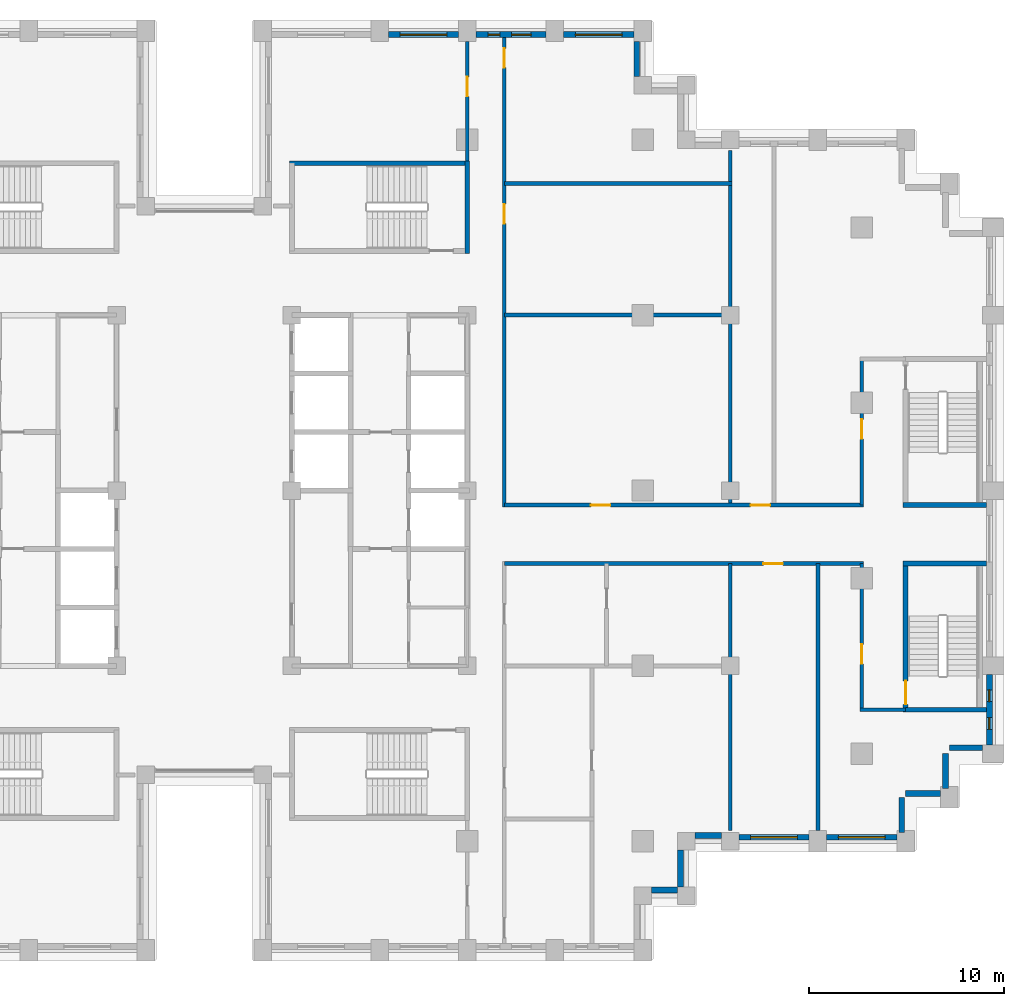
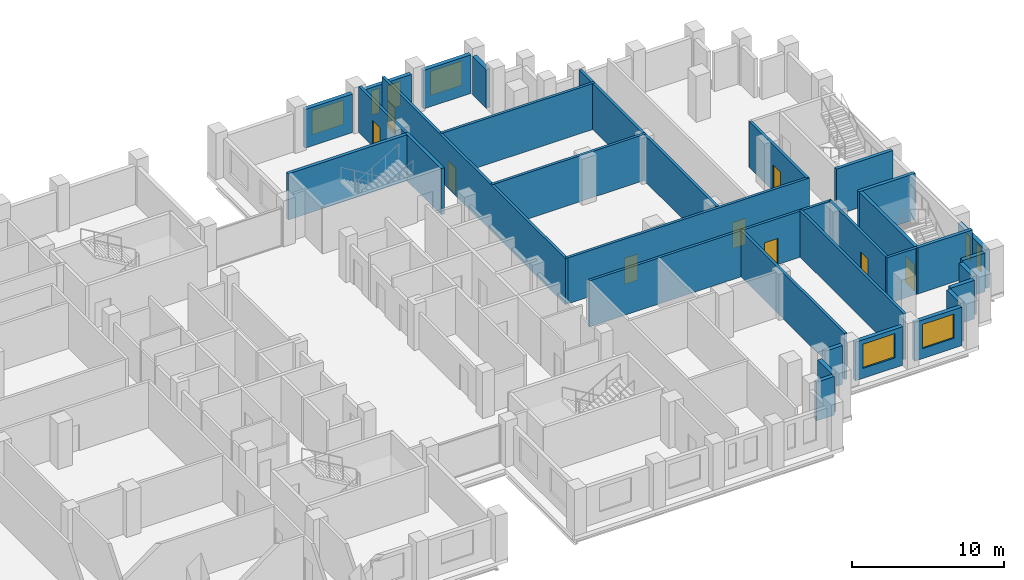
# One storey, part 11 of 15: 32 walls, 9 doors, 8 windows, 17 openings.
"""IFC4 building model written with IfcOpenShell, lengths in metres."""

from ifc_helpers import new_model, si_unit, direction, frame, frame_2d, origin, place, context, subcontext, project, spatial, rectangle, extrude, material, layer, layer_set, type_object, element, fill, save


model = new_model("IFC4")

# Units and contexts
model_context = context("Model", 3, precision=1e-05, world=origin(), true_north=direction((0.0, 1.0)))
body_context = subcontext(model_context, "Body", "Model", "MODEL_VIEW")
ifc_project = project(units=[si_unit("LENGTHUNIT", "METRE"), si_unit("AREAUNIT", "SQUARE_METRE"), si_unit("VOLUMEUNIT", "CUBIC_METRE"), si_unit("PLANEANGLEUNIT", "RADIAN"), si_unit("MASSUNIT", "GRAM", prefix="KILO")], contexts=[model_context])

# Site, building, storey
site_placement = place(None, origin())
site = spatial("IfcSite", under=ifc_project, at=site_placement, CompositionType="ELEMENT")
building_placement = place(site_placement, origin())
building = spatial("IfcBuilding", under=site, at=building_placement, Name="Corbelhall Arena Tower", CompositionType="ELEMENT")
storey_placement = place(building_placement, frame((0.0, 0.0, 138.0)))
storey = spatial("IfcBuildingStorey", under=building, at=storey_placement, Name="L26", CompositionType="ELEMENT", Elevation=138.0)

# Walls
ifc_material_1 = material(Name="Precast concrete C40/50 with granite facing", Category="masonry")
ifc_layer_1 = layer(ifc_material_1, 0.300048828125)
ifc_layer_set_1 = layer_set([ifc_layer_1], Name="EV-IW1 Infill panel 300")
wall_type_1 = type_object("IfcWallType", Name="EV-IW1 Infill panel 300", PredefinedType="SOLIDWALL", material=ifc_layer_set_1)
for number, where, z_axis, x_axis, name in (
    (1, (35.800048828125, -17.550048828125, 0.0), (0.0, 0.0, 1.0), (0.0, 1.0, 0.0), "Infill panel IW1"),
    (2, (37.800048828125, -15.550048828125, 0.0), (0.0, 0.0, 1.0), (-1.0, 0.0, 0.0), "Infill panel IW1"),
    (3, (38.050048828125, -15.300048828125, 0.0), (0.0, 0.0, 1.0), (0.0, 1.0, 0.0), "Infill panel IW1"),
):
    element("IfcWall", number, at=place(storey_placement, frame(where, z_axis=z_axis, x_axis=x_axis)), inside=storey, type_object=wall_type_1, Name=name, PredefinedType="SOLIDWALL", context=body_context, shape_type="SweptSolid", body=[
        extrude(rectangle(XDim=1.800048828125, YDim=0.300048828125, at=frame_2d((0.89990234375, 0.0))), origin(), (0.0, 0.0, 1.0), 3.10009765625),
    ])
wall_1_placement = place(storey_placement, frame((39.949951171875, -13.199951171875, 0.0), z_axis=(0.0, 0.0, 1.0), x_axis=(-1.0, 0.0, 0.0)))
element("IfcWall", 4, at=wall_1_placement, inside=storey, type_object=wall_type_1, Name="Infill panel IW1", PredefinedType="SOLIDWALL", context=body_context, shape_type="SweptSolid", body=[
    extrude(rectangle(XDim=1.699951171875, YDim=0.300048828125, at=frame_2d((0.85009765625, 0.0))), origin(), (0.0, 0.0, 1.0), 3.10009765625),
])
wall_2_placement = place(storey_placement, frame((22.949951171875, -20.5, 0.0), z_axis=(0.0, 0.0, 1.0), x_axis=(1.0, 0.0, 0.0)))
element("IfcWall", 5, at=wall_2_placement, inside=storey, type_object=wall_type_1, Name="Infill panel IW1", PredefinedType="SOLIDWALL", context=body_context, shape_type="SweptSolid", body=[
    extrude(rectangle(XDim=1.35009765625, YDim=0.300048828125, at=frame_2d((0.675048828125, 0.0))), origin(), (0.0, 0.0, 1.0), 3.10009765625),
])
wall_3_placement = place(storey_placement, frame((24.449951171875, -20.35009765625, 0.0), z_axis=(0.0, 0.0, 1.0), x_axis=(0.0, 1.0, 0.0)))
element("IfcWall", 6, at=wall_3_placement, inside=storey, type_object=wall_type_1, Name="Infill panel IW1", PredefinedType="SOLIDWALL", context=body_context, shape_type="SweptSolid", body=[
    extrude(rectangle(XDim=1.900146484375, YDim=0.300048828125, at=frame_2d((0.9501953125, 0.0))), origin(), (0.0, 0.0, 1.0), 3.10009765625),
])
wall_4_placement = place(storey_placement, frame((25.199951171875, -17.699951171875, 0.0), z_axis=(0.0, 0.0, 1.0), x_axis=(1.0, 0.0, 0.0)))
element("IfcWall", 7, at=wall_4_placement, inside=storey, type_object=wall_type_1, Name="Infill panel IW1", PredefinedType="SOLIDWALL", context=body_context, shape_type="SweptSolid", body=[
    extrude(rectangle(XDim=1.35009765625, YDim=0.300048828125, at=frame_2d((0.675048828125, 0.0))), origin(), (0.0, 0.0, 1.0), 3.10009765625),
])

# Wall, opening, window
wall_5_placement = place(storey_placement, frame((27.449951171875, -17.800048828125, 0.0), z_axis=(0.0, 0.0, 1.0), x_axis=(1.0, 0.0, 0.0)))
wall_5 = element("IfcWall", 8, at=wall_5_placement, inside=storey, type_object=wall_type_1, Name="Infill panel IW1", PredefinedType="SOLIDWALL", context=body_context, shape_type="SweptSolid", body=[
    extrude(rectangle(XDim=3.60009765625, YDim=0.300048828125, at=frame_2d((1.800048828125, 0.0))), origin(), (0.0, 0.0, 1.0), 3.10009765625),
])
opening_1_placement = place(wall_5_placement, frame((0.60009765625, 0.0, 0.800048828125)))
opening_1 = element("IfcOpeningElement", 9, at=opening_1_placement, cuts=wall_5, Name="Opening WN1", PredefinedType="OPENING", context=body_context, shape_type="SweptSolid", body=[
    extrude(rectangle(XDim=2.39990234375, YDim=1.949951171875, at=frame_2d((1.199951171875, 0.97509765625))), frame((0.0, 0.14990234375, 0.0), z_axis=(0.0, -1.0, 0.0), x_axis=(1.0, 0.0, 0.0)), (0.0, 0.0, 1.0), 0.300048828125),
])
ifc_material_2 = material(Name="Aluminium black anodised", Category="aluminium")
window_type_1 = type_object("IfcWindowType", Name="EV-WN1 Office window", PartitioningType="SINGLE_PANEL", PredefinedType="WINDOW", material=ifc_material_2)
window_1_placement = place(opening_1_placement, origin())
window_1 = element("IfcWindow", 10, at=window_1_placement, inside=storey, type_object=window_type_1, Name="Window WN1", OverallHeight=1.949951171875, OverallWidth=2.39990234375, PartitioningType="SINGLE_PANEL", PredefinedType="WINDOW", context=body_context, shape_type="SweptSolid", body=[
    extrude(rectangle(XDim=2.39990234375, YDim=1.949951171875, at=frame_2d((1.199951171875, 0.97509765625))), frame((0.0, 0.030029296875, 0.0), z_axis=(0.0, -1.0, 0.0), x_axis=(1.0, 0.0, 0.0)), (0.0, 0.0, 1.0), 0.06005859375),
])
fill(opening_1, window_1)

wall_6_placement = place(storey_placement, frame((31.949951171875, -17.800048828125, 0.0), z_axis=(0.0, 0.0, 1.0), x_axis=(1.0, 0.0, 0.0)))
wall_6 = element("IfcWall", 11, at=wall_6_placement, inside=storey, type_object=wall_type_1, Name="Infill panel IW1", PredefinedType="SOLIDWALL", context=body_context, shape_type="SweptSolid", body=[
    extrude(rectangle(XDim=3.60009765625, YDim=0.300048828125, at=frame_2d((1.800048828125, 0.0))), origin(), (0.0, 0.0, 1.0), 3.10009765625),
])
opening_2_placement = place(wall_6_placement, frame((0.60009765625, 0.0, 0.800048828125)))
opening_2 = element("IfcOpeningElement", 12, at=opening_2_placement, cuts=wall_6, Name="Opening WN1", PredefinedType="OPENING", context=body_context, shape_type="SweptSolid", body=[
    extrude(rectangle(XDim=2.39990234375, YDim=1.949951171875, at=frame_2d((1.199951171875, 0.97509765625))), frame((0.0, 0.14990234375, 0.0), z_axis=(0.0, -1.0, 0.0), x_axis=(1.0, 0.0, 0.0)), (0.0, 0.0, 1.0), 0.300048828125),
])
window_2_placement = place(opening_2_placement, origin())
window_2 = element("IfcWindow", 13, at=window_2_placement, inside=storey, type_object=window_type_1, Name="Window WN1", OverallHeight=1.949951171875, OverallWidth=2.39990234375, PartitioningType="SINGLE_PANEL", PredefinedType="WINDOW", context=body_context, shape_type="SweptSolid", body=[
    extrude(rectangle(XDim=2.39990234375, YDim=1.949951171875, at=frame_2d((1.199951171875, 0.97509765625))), frame((0.0, 0.030029296875, 0.0), z_axis=(0.0, -1.0, 0.0), x_axis=(1.0, 0.0, 0.0)), (0.0, 0.0, 1.0), 0.06005859375),
])
fill(opening_2, window_2)

# Wall, openings, windows
wall_7_placement = place(storey_placement, frame((40.300048828125, -13.050048828125, 0.0), z_axis=(0.0, 0.0, 1.0), x_axis=(0.0, 1.0, 0.0)))
wall_7 = element("IfcWall", 14, at=wall_7_placement, inside=storey, type_object=wall_type_1, Name="Infill panel IW1", PredefinedType="SOLIDWALL", context=body_context, shape_type="SweptSolid", body=[
    extrude(rectangle(XDim=3.60009765625, YDim=0.300048828125, at=frame_2d((1.800048828125, 0.0))), origin(), (0.0, 0.0, 1.0), 3.10009765625),
])
opening_3_placement = place(wall_7_placement, frame((0.78759765625, 0.0, 0.800048828125)))
opening_3 = element("IfcOpeningElement", 15, at=opening_3_placement, cuts=wall_7, Name="Opening WN5", PredefinedType="OPENING", context=body_context, shape_type="SweptSolid", body=[
    extrude(rectangle(XDim=0.60009765625, YDim=1.949951171875, at=frame_2d((0.300048828125, 0.97509765625))), frame((0.0, 0.14990234375, 0.0), z_axis=(0.0, -1.0, 0.0), x_axis=(1.0, 0.0, 0.0)), (0.0, 0.0, 1.0), 0.300048828125),
])
opening_4_placement = place(wall_7_placement, frame((2.21240234375, 0.0, 0.800048828125)))
opening_4 = element("IfcOpeningElement", 16, at=opening_4_placement, cuts=wall_7, Name="Opening WN5", PredefinedType="OPENING", context=body_context, shape_type="SweptSolid", body=[
    extrude(rectangle(XDim=0.60009765625, YDim=1.949951171875, at=frame_2d((0.300048828125, 0.97509765625))), frame((0.0, 0.14990234375, 0.0), z_axis=(0.0, -1.0, 0.0), x_axis=(1.0, 0.0, 0.0)), (0.0, 0.0, 1.0), 0.300048828125),
])
window_type_2 = type_object("IfcWindowType", Name="EV-WN5 Office window 600", PartitioningType="SINGLE_PANEL", PredefinedType="WINDOW", material=ifc_material_2)
window_3_placement = place(opening_3_placement, origin())
window_3 = element("IfcWindow", 17, at=window_3_placement, inside=storey, type_object=window_type_2, Name="Window WN5", OverallHeight=1.949951171875, OverallWidth=0.60009765625, PartitioningType="SINGLE_PANEL", PredefinedType="WINDOW", context=body_context, shape_type="SweptSolid", body=[
    extrude(rectangle(XDim=0.60009765625, YDim=1.949951171875, at=frame_2d((0.300048828125, 0.97509765625))), frame((0.0, 0.030029296875, 0.0), z_axis=(0.0, -1.0, 0.0), x_axis=(1.0, 0.0, 0.0)), (0.0, 0.0, 1.0), 0.06005859375),
])
fill(opening_3, window_3)
window_4_placement = place(opening_4_placement, origin())
window_4 = element("IfcWindow", 18, at=window_4_placement, inside=storey, type_object=window_type_2, Name="Window WN5", OverallHeight=1.949951171875, OverallWidth=0.60009765625, PartitioningType="SINGLE_PANEL", PredefinedType="WINDOW", context=body_context, shape_type="SweptSolid", body=[
    extrude(rectangle(XDim=0.60009765625, YDim=1.949951171875, at=frame_2d((0.300048828125, 0.97509765625))), frame((0.0, 0.030029296875, 0.0), z_axis=(0.0, -1.0, 0.0), x_axis=(1.0, 0.0, 0.0)), (0.0, 0.0, 1.0), 0.06005859375),
])
fill(opening_4, window_4)

# Wall
wall_8_placement = place(storey_placement, frame((22.199951171875, 21.25, 0.0), z_axis=(0.0, 0.0, 1.0), x_axis=(0.0, 1.0, 0.0)))
element("IfcWall", 19, at=wall_8_placement, inside=storey, type_object=wall_type_1, Name="Infill panel IW1", PredefinedType="SOLIDWALL", context=body_context, shape_type="SweptSolid", body=[
    extrude(rectangle(XDim=1.800048828125, YDim=0.300048828125, at=frame_2d((0.89990234375, 0.0))), origin(), (0.0, 0.0, 1.0), 3.10009765625),
])

# Wall, opening, window
wall_9_placement = place(storey_placement, frame((22.050048828125, 23.39990234375, 0.0), z_axis=(0.0, 0.0, 1.0), x_axis=(-1.0, 0.0, 0.0)))
wall_9 = element("IfcWall", 20, at=wall_9_placement, inside=storey, type_object=wall_type_1, Name="Infill panel IW1", PredefinedType="SOLIDWALL", context=body_context, shape_type="SweptSolid", body=[
    extrude(rectangle(XDim=3.60009765625, YDim=0.300048828125, at=frame_2d((1.800048828125, 0.0))), origin(), (0.0, 0.0, 1.0), 3.10009765625),
])
opening_5_placement = place(wall_9_placement, frame((0.60009765625, 0.0, 0.800048828125)))
opening_5 = element("IfcOpeningElement", 21, at=opening_5_placement, cuts=wall_9, Name="Opening WN1", PredefinedType="OPENING", context=body_context, shape_type="SweptSolid", body=[
    extrude(rectangle(XDim=2.39990234375, YDim=1.949951171875, at=frame_2d((1.199951171875, 0.97509765625))), frame((0.0, 0.14990234375, 0.0), z_axis=(0.0, -1.0, 0.0), x_axis=(1.0, 0.0, 0.0)), (0.0, 0.0, 1.0), 0.300048828125),
])
window_5_placement = place(opening_5_placement, origin())
window_5 = element("IfcWindow", 22, at=window_5_placement, inside=storey, type_object=window_type_1, Name="Window WN1", OverallHeight=1.949951171875, OverallWidth=2.39990234375, PartitioningType="SINGLE_PANEL", PredefinedType="WINDOW", context=body_context, shape_type="SweptSolid", body=[
    extrude(rectangle(XDim=2.39990234375, YDim=1.949951171875, at=frame_2d((1.199951171875, 0.97509765625))), frame((0.0, 0.030029296875, 0.0), z_axis=(0.0, -1.0, 0.0), x_axis=(1.0, 0.0, 0.0)), (0.0, 0.0, 1.0), 0.06005859375),
])
fill(opening_5, window_5)

# Wall, openings, windows
wall_10_placement = place(storey_placement, frame((17.550048828125, 23.39990234375, 0.0), z_axis=(0.0, 0.0, 1.0), x_axis=(-1.0, 0.0, 0.0)))
wall_10 = element("IfcWall", 23, at=wall_10_placement, inside=storey, type_object=wall_type_1, Name="Infill panel IW1", PredefinedType="SOLIDWALL", context=body_context, shape_type="SweptSolid", body=[
    extrude(rectangle(XDim=3.60009765625, YDim=0.300048828125, at=frame_2d((1.800048828125, 0.0))), origin(), (0.0, 0.0, 1.0), 3.10009765625),
])
opening_6_placement = place(wall_10_placement, frame((0.77490234375, 0.0, 0.800048828125)))
opening_6 = element("IfcOpeningElement", 24, at=opening_6_placement, cuts=wall_10, Name="Opening WN6", PredefinedType="OPENING", context=body_context, shape_type="SweptSolid", body=[
    extrude(rectangle(XDim=1.0, YDim=1.949951171875, at=frame_2d((0.5, 0.97509765625))), frame((0.0, 0.14990234375, 0.0), z_axis=(0.0, -1.0, 0.0), x_axis=(1.0, 0.0, 0.0)), (0.0, 0.0, 1.0), 0.300048828125),
])
opening_7_placement = place(wall_10_placement, frame((2.375, 0.0, 0.800048828125)))
opening_7 = element("IfcOpeningElement", 25, at=opening_7_placement, cuts=wall_10, Name="Opening WN5", PredefinedType="OPENING", context=body_context, shape_type="SweptSolid", body=[
    extrude(rectangle(XDim=0.60009765625, YDim=1.949951171875, at=frame_2d((0.300048828125, 0.97509765625))), frame((0.0, 0.14990234375, 0.0), z_axis=(0.0, -1.0, 0.0), x_axis=(1.0, 0.0, 0.0)), (0.0, 0.0, 1.0), 0.300048828125),
])
window_6_placement = place(opening_7_placement, origin())
window_6 = element("IfcWindow", 26, at=window_6_placement, inside=storey, type_object=window_type_2, Name="Window WN5", OverallHeight=1.949951171875, OverallWidth=0.60009765625, PartitioningType="SINGLE_PANEL", PredefinedType="WINDOW", context=body_context, shape_type="SweptSolid", body=[
    extrude(rectangle(XDim=0.60009765625, YDim=1.949951171875, at=frame_2d((0.300048828125, 0.97509765625))), frame((0.0, 0.030029296875, 0.0), z_axis=(0.0, -1.0, 0.0), x_axis=(1.0, 0.0, 0.0)), (0.0, 0.0, 1.0), 0.06005859375),
])
fill(opening_7, window_6)
window_type_3 = type_object("IfcWindowType", Name="EV-WN6 Office window 1000", PartitioningType="SINGLE_PANEL", PredefinedType="WINDOW", material=ifc_material_2)
window_7_placement = place(opening_6_placement, origin())
window_7 = element("IfcWindow", 27, at=window_7_placement, inside=storey, type_object=window_type_3, Name="Window WN6", OverallHeight=1.949951171875, OverallWidth=1.0, PartitioningType="SINGLE_PANEL", PredefinedType="WINDOW", context=body_context, shape_type="SweptSolid", body=[
    extrude(rectangle(XDim=1.0, YDim=1.949951171875, at=frame_2d((0.5, 0.97509765625))), frame((0.0, 0.030029296875, 0.0), z_axis=(0.0, -1.0, 0.0), x_axis=(1.0, 0.0, 0.0)), (0.0, 0.0, 1.0), 0.06005859375),
])
fill(opening_6, window_7)

# Wall, opening, window
wall_11_placement = place(storey_placement, frame((13.050048828125, 23.39990234375, 0.0), z_axis=(0.0, 0.0, 1.0), x_axis=(-1.0, 0.0, 0.0)))
wall_11 = element("IfcWall", 28, at=wall_11_placement, inside=storey, type_object=wall_type_1, Name="Infill panel IW1", PredefinedType="SOLIDWALL", context=body_context, shape_type="SweptSolid", body=[
    extrude(rectangle(XDim=3.60009765625, YDim=0.300048828125, at=frame_2d((1.800048828125, 0.0))), origin(), (0.0, 0.0, 1.0), 3.10009765625),
])
opening_8_placement = place(wall_11_placement, frame((0.60009765625, 0.0, 0.800048828125)))
opening_8 = element("IfcOpeningElement", 29, at=opening_8_placement, cuts=wall_11, Name="Opening WN1", PredefinedType="OPENING", context=body_context, shape_type="SweptSolid", body=[
    extrude(rectangle(XDim=2.39990234375, YDim=1.949951171875, at=frame_2d((1.199951171875, 0.97509765625))), frame((0.0, 0.14990234375, 0.0), z_axis=(0.0, -1.0, 0.0), x_axis=(1.0, 0.0, 0.0)), (0.0, 0.0, 1.0), 0.300048828125),
])
window_8_placement = place(opening_8_placement, origin())
window_8 = element("IfcWindow", 30, at=window_8_placement, inside=storey, type_object=window_type_1, Name="Window WN1", OverallHeight=1.949951171875, OverallWidth=2.39990234375, PartitioningType="SINGLE_PANEL", PredefinedType="WINDOW", context=body_context, shape_type="SweptSolid", body=[
    extrude(rectangle(XDim=2.39990234375, YDim=1.949951171875, at=frame_2d((1.199951171875, 0.97509765625))), frame((0.0, 0.030029296875, 0.0), z_axis=(0.0, -1.0, 0.0), x_axis=(1.0, 0.0, 0.0)), (0.0, 0.0, 1.0), 0.06005859375),
])
fill(opening_8, window_8)

# Wall, opening, door
ifc_material_3 = material(Name="Gypsum board on steel stud, acoustic", Category="steel")
ifc_layer_2 = layer(ifc_material_3, 0.199951171875)
ifc_layer_set_2 = layer_set([ifc_layer_2], Name="IN-W-DM200")
wall_type_2 = type_object("IfcWallType", Name="IN-W-DM200", PredefinedType="PARTITIONING", material=ifc_layer_set_2)
wall_12_placement = place(storey_placement, frame((13.5, 16.675048828125, 0.0), z_axis=(0.0, 0.0, 1.0), x_axis=(0.0, 1.0, 0.0)))
wall_12 = element("IfcWall", 31, at=wall_12_placement, inside=storey, type_object=wall_type_2, Name="Partition 027", PredefinedType="PARTITIONING", context=body_context, shape_type="SweptSolid", body=[
    extrude(rectangle(XDim=6.375, YDim=0.199951171875, at=frame_2d((3.1875, 0.0))), origin(), (0.0, 0.0, 1.0), 3.699951171875),
])
opening_9_placement = place(wall_12_placement, frame((3.550048828125, 0.0, 0.0)))
opening_9 = element("IfcOpeningElement", 32, at=opening_9_placement, cuts=wall_12, Name="Opening 07023", PredefinedType="OPENING", context=body_context, shape_type="SweptSolid", body=[
    extrude(rectangle(XDim=1.0, YDim=2.10009765625, at=frame_2d((0.5, 1.050048828125))), frame((0.0, 0.10009765625, 0.0), z_axis=(0.0, -1.0, 0.0), x_axis=(1.0, 0.0, 0.0)), (0.0, 0.0, 1.0), 0.199951171875),
])
ifc_material_4 = material(Name="Steel door set", Category="steel")
door_type_1 = type_object("IfcDoorType", Name="IN-D-SW100", OperationType="NOTDEFINED", PredefinedType="DOOR", material=ifc_material_4)
door_1_placement = place(opening_9_placement, origin())
door_1 = element("IfcDoor", 33, at=door_1_placement, inside=storey, type_object=door_type_1, Name="Door 023", OperationType="SINGLE_SWING_RIGHT", OverallHeight=2.10009765625, OverallWidth=1.0, PredefinedType="DOOR", context=body_context, shape_type="SweptSolid", body=[
    extrude(rectangle(XDim=1.0, YDim=2.10009765625, at=frame_2d((0.5, 1.050048828125))), frame((0.0, 0.02490234375, 0.0), z_axis=(0.0, -1.0, 0.0), x_axis=(1.0, 0.0, 0.0)), (0.0, 0.0, 1.0), 0.050048828125),
])
fill(opening_9, door_1)

# Wall, openings, doors
wall_13_placement = place(storey_placement, frame((15.39990234375, -0.75, 0.0), z_axis=(0.0, 0.0, 1.0), x_axis=(1.0, 0.0, 0.0)))
wall_13 = element("IfcWall", 34, at=wall_13_placement, inside=storey, type_object=wall_type_2, Name="Partition 031", PredefinedType="PARTITIONING", context=body_context, shape_type="SweptSolid", body=[
    extrude(rectangle(XDim=18.4501953125, YDim=0.199951171875, at=frame_2d((9.22509765625, 0.0))), origin(), (0.0, 0.0, 1.0), 3.699951171875),
])
opening_10_placement = place(wall_13_placement, frame((4.449951171875, 0.0, 0.0)))
opening_10 = element("IfcOpeningElement", 35, at=opening_10_placement, cuts=wall_13, Name="Opening 07032", PredefinedType="OPENING", context=body_context, shape_type="SweptSolid", body=[
    extrude(rectangle(XDim=1.0, YDim=2.10009765625, at=frame_2d((0.5, 1.050048828125))), frame((0.0, 0.10009765625, 0.0), z_axis=(0.0, -1.0, 0.0), x_axis=(1.0, 0.0, 0.0)), (0.0, 0.0, 1.0), 0.199951171875),
])
opening_11_placement = place(wall_13_placement, frame((12.64990234375, 0.0, 0.0)))
opening_11 = element("IfcOpeningElement", 36, at=opening_11_placement, cuts=wall_13, Name="Opening 07043", PredefinedType="OPENING", context=body_context, shape_type="SweptSolid", body=[
    extrude(rectangle(XDim=1.0, YDim=2.10009765625, at=frame_2d((0.5, 1.050048828125))), frame((0.0, 0.10009765625, 0.0), z_axis=(0.0, -1.0, 0.0), x_axis=(1.0, 0.0, 0.0)), (0.0, 0.0, 1.0), 0.199951171875),
])
door_2_placement = place(opening_10_placement, origin())
door_2 = element("IfcDoor", 37, at=door_2_placement, inside=storey, type_object=door_type_1, Name="Door 032", OperationType="SINGLE_SWING_LEFT", OverallHeight=2.10009765625, OverallWidth=1.0, PredefinedType="DOOR", context=body_context, shape_type="SweptSolid", body=[
    extrude(rectangle(XDim=1.0, YDim=2.10009765625, at=frame_2d((0.5, 1.050048828125))), frame((0.0, 0.02490234375, 0.0), z_axis=(0.0, -1.0, 0.0), x_axis=(1.0, 0.0, 0.0)), (0.0, 0.0, 1.0), 0.050048828125),
])
fill(opening_10, door_2)
door_3_placement = place(opening_11_placement, origin())
door_3 = element("IfcDoor", 38, at=door_3_placement, inside=storey, type_object=door_type_1, Name="Door 043", OperationType="SINGLE_SWING_RIGHT", OverallHeight=2.10009765625, OverallWidth=1.0, PredefinedType="DOOR", context=body_context, shape_type="SweptSolid", body=[
    extrude(rectangle(XDim=1.0, YDim=2.10009765625, at=frame_2d((0.5, 1.050048828125))), frame((0.0, 0.02490234375, 0.0), z_axis=(0.0, -1.0, 0.0), x_axis=(1.0, 0.0, 0.0)), (0.0, 0.0, 1.0), 0.050048828125),
])
fill(opening_11, door_3)

# Wall
wall_14_placement = place(storey_placement, frame((15.39990234375, 9.0, 0.0), z_axis=(0.0, 0.0, 1.0), x_axis=(1.0, 0.0, 0.0)))
element("IfcWall", 39, at=wall_14_placement, inside=storey, type_object=wall_type_2, Name="Partition 032", PredefinedType="PARTITIONING", context=body_context, shape_type="SweptSolid", body=[
    extrude(rectangle(XDim=11.7001953125, YDim=0.199951171875, at=frame_2d((5.85009765625, 0.0))), origin(), (0.0, 0.0, 1.0), 3.699951171875),
])

# Wall, openings, doors
wall_15_placement = place(storey_placement, frame((15.39990234375, 23.25, 0.0), z_axis=(0.0, 0.0, 1.0), x_axis=(0.0, -1.0, 0.0)))
wall_15 = element("IfcWall", 40, at=wall_15_placement, inside=storey, type_object=wall_type_2, Name="Partition 033", PredefinedType="PARTITIONING", context=body_context, shape_type="SweptSolid", body=[
    extrude(rectangle(XDim=24.10009765625, YDim=0.199951171875, at=frame_2d((12.050048828125, 0.0))), origin(), (0.0, 0.0, 1.0), 3.699951171875),
])
opening_12_placement = place(wall_15_placement, frame((8.550048828125, 0.0, 0.0)))
opening_12 = element("IfcOpeningElement", 41, at=opening_12_placement, cuts=wall_15, Name="Opening 07033", PredefinedType="OPENING", context=body_context, shape_type="SweptSolid", body=[
    extrude(rectangle(XDim=1.0, YDim=2.10009765625, at=frame_2d((0.5, 1.050048828125))), frame((0.0, 0.10009765625, 0.0), z_axis=(0.0, -1.0, 0.0), x_axis=(1.0, 0.0, 0.0)), (0.0, 0.0, 1.0), 0.199951171875),
])
opening_13_placement = place(wall_15_placement, frame((0.550048828125, 0.0, 0.0)))
opening_13 = element("IfcOpeningElement", 42, at=opening_13_placement, cuts=wall_15, Name="Opening 07034", PredefinedType="OPENING", context=body_context, shape_type="SweptSolid", body=[
    extrude(rectangle(XDim=1.0, YDim=2.10009765625, at=frame_2d((0.5, 1.050048828125))), frame((0.0, 0.10009765625, 0.0), z_axis=(0.0, -1.0, 0.0), x_axis=(1.0, 0.0, 0.0)), (0.0, 0.0, 1.0), 0.199951171875),
])
door_4_placement = place(opening_12_placement, origin())
door_4 = element("IfcDoor", 43, at=door_4_placement, inside=storey, type_object=door_type_1, Name="Door 033", OperationType="SINGLE_SWING_RIGHT", OverallHeight=2.10009765625, OverallWidth=1.0, PredefinedType="DOOR", context=body_context, shape_type="SweptSolid", body=[
    extrude(rectangle(XDim=1.0, YDim=2.10009765625, at=frame_2d((0.5, 1.050048828125))), frame((0.0, 0.02490234375, 0.0), z_axis=(0.0, -1.0, 0.0), x_axis=(1.0, 0.0, 0.0)), (0.0, 0.0, 1.0), 0.050048828125),
])
fill(opening_12, door_4)
door_5_placement = place(opening_13_placement, origin())
door_5 = element("IfcDoor", 44, at=door_5_placement, inside=storey, type_object=door_type_1, Name="Door 034", OperationType="SINGLE_SWING_LEFT", OverallHeight=2.10009765625, OverallWidth=1.0, PredefinedType="DOOR", context=body_context, shape_type="SweptSolid", body=[
    extrude(rectangle(XDim=1.0, YDim=2.10009765625, at=frame_2d((0.5, 1.050048828125))), frame((0.0, 0.02490234375, 0.0), z_axis=(0.0, -1.0, 0.0), x_axis=(1.0, 0.0, 0.0)), (0.0, 0.0, 1.0), 0.050048828125),
])
fill(opening_13, door_5)

# Wall
wall_16_placement = place(storey_placement, frame((15.39990234375, 15.75, 0.0), z_axis=(0.0, 0.0, 1.0), x_axis=(1.0, 0.0, 0.0)))
element("IfcWall", 45, at=wall_16_placement, inside=storey, type_object=wall_type_2, Name="Partition 034", PredefinedType="PARTITIONING", context=body_context, shape_type="SweptSolid", body=[
    extrude(rectangle(XDim=11.7001953125, YDim=0.199951171875, at=frame_2d((5.85009765625, 0.0))), origin(), (0.0, 0.0, 1.0), 3.699951171875),
])

# Wall, opening, door
wall_17_placement = place(storey_placement, frame((33.85009765625, -3.75, 0.0), z_axis=(0.0, 0.0, 1.0), x_axis=(-1.0, 0.0, 0.0)))
wall_17 = element("IfcWall", 46, at=wall_17_placement, inside=storey, type_object=wall_type_2, Name="Partition 037", PredefinedType="PARTITIONING", context=body_context, shape_type="SweptSolid", body=[
    extrude(rectangle(XDim=18.4501953125, YDim=0.199951171875, at=frame_2d((9.22509765625, 0.0))), origin(), (0.0, 0.0, 1.0), 3.699951171875),
])
opening_14_placement = place(wall_17_placement, frame((4.14990234375, 0.0, 0.0)))
opening_14 = element("IfcOpeningElement", 47, at=opening_14_placement, cuts=wall_17, Name="Opening 07045", PredefinedType="OPENING", context=body_context, shape_type="SweptSolid", body=[
    extrude(rectangle(XDim=1.0, YDim=2.10009765625, at=frame_2d((0.5, 1.050048828125))), frame((0.0, 0.10009765625, 0.0), z_axis=(0.0, -1.0, 0.0), x_axis=(1.0, 0.0, 0.0)), (0.0, 0.0, 1.0), 0.199951171875),
])
door_6_placement = place(opening_14_placement, origin())
door_6 = element("IfcDoor", 48, at=door_6_placement, inside=storey, type_object=door_type_1, Name="Door 045", OperationType="SINGLE_SWING_RIGHT", OverallHeight=2.10009765625, OverallWidth=1.0, PredefinedType="DOOR", context=body_context, shape_type="SweptSolid", body=[
    extrude(rectangle(XDim=1.0, YDim=2.10009765625, at=frame_2d((0.5, 1.050048828125))), frame((0.0, 0.02490234375, 0.0), z_axis=(0.0, -1.0, 0.0), x_axis=(1.0, 0.0, 0.0)), (0.0, 0.0, 1.0), 0.050048828125),
])
fill(opening_14, door_6)

# Walls
wall_18_placement = place(storey_placement, frame((27.0, -3.75, 0.0), z_axis=(0.0, 0.0, 1.0), x_axis=(0.0, -1.0, 0.0)))
element("IfcWall", 49, at=wall_18_placement, inside=storey, type_object=wall_type_2, Name="Partition 038", PredefinedType="PARTITIONING", context=body_context, shape_type="SweptSolid", body=[
    extrude(rectangle(XDim=13.699951171875, YDim=0.199951171875, at=frame_2d((6.85009765625, 0.0))), origin(), (0.0, 0.0, 1.0), 3.699951171875),
])
wall_19_placement = place(storey_placement, frame((27.0, 17.449951171875, 0.0), z_axis=(0.0, 0.0, 1.0), x_axis=(0.0, -1.0, 0.0)))
element("IfcWall", 50, at=wall_19_placement, inside=storey, type_object=wall_type_2, Name="Partition 039", PredefinedType="PARTITIONING", context=body_context, shape_type="SweptSolid", body=[
    extrude(rectangle(XDim=18.199951171875, YDim=0.199951171875, at=frame_2d((9.10009765625, 0.0))), origin(), (0.0, 0.0, 1.0), 3.699951171875),
])
wall_20_placement = place(storey_placement, frame((31.5, -3.75, 0.0), z_axis=(0.0, 0.0, 1.0), x_axis=(0.0, -1.0, 0.0)))
element("IfcWall", 51, at=wall_20_placement, inside=storey, type_object=wall_type_2, Name="Partition 041", PredefinedType="PARTITIONING", context=body_context, shape_type="SweptSolid", body=[
    extrude(rectangle(XDim=13.699951171875, YDim=0.199951171875, at=frame_2d((6.85009765625, 0.0))), origin(), (0.0, 0.0, 1.0), 3.699951171875),
])

# Wall, opening, door
wall_21_placement = place(storey_placement, frame((33.75, -11.25, 0.0), z_axis=(0.0, 0.0, 1.0), x_axis=(0.0, 1.0, 0.0)))
wall_21 = element("IfcWall", 52, at=wall_21_placement, inside=storey, type_object=wall_type_2, Name="Partition 043", PredefinedType="PARTITIONING", context=body_context, shape_type="SweptSolid", body=[
    extrude(rectangle(XDim=7.5, YDim=0.199951171875, at=frame_2d((3.75, 0.0))), origin(), (0.0, 0.0, 1.0), 3.699951171875),
])
opening_15_placement = place(wall_21_placement, frame((2.35009765625, 0.0, 0.0)))
opening_15 = element("IfcOpeningElement", 53, at=opening_15_placement, cuts=wall_21, Name="Opening 07046", PredefinedType="OPENING", context=body_context, shape_type="SweptSolid", body=[
    extrude(rectangle(XDim=1.0, YDim=2.10009765625, at=frame_2d((0.5, 1.050048828125))), frame((0.0, 0.10009765625, 0.0), z_axis=(0.0, -1.0, 0.0), x_axis=(1.0, 0.0, 0.0)), (0.0, 0.0, 1.0), 0.199951171875),
])
door_7_placement = place(opening_15_placement, origin())
door_7 = element("IfcDoor", 54, at=door_7_placement, inside=storey, type_object=door_type_1, Name="Door 046", OperationType="SINGLE_SWING_LEFT", OverallHeight=2.10009765625, OverallWidth=1.0, PredefinedType="DOOR", context=body_context, shape_type="SweptSolid", body=[
    extrude(rectangle(XDim=1.0, YDim=2.10009765625, at=frame_2d((0.5, 1.050048828125))), frame((0.0, 0.02490234375, 0.0), z_axis=(0.0, -1.0, 0.0), x_axis=(1.0, 0.0, 0.0)), (0.0, 0.0, 1.0), 0.050048828125),
])
fill(opening_15, door_7)

wall_22_placement = place(storey_placement, frame((33.75, -0.75, 0.0), z_axis=(0.0, 0.0, 1.0), x_axis=(0.0, 1.0, 0.0)))
wall_22 = element("IfcWall", 55, at=wall_22_placement, inside=storey, type_object=wall_type_2, Name="Partition 044", PredefinedType="PARTITIONING", context=body_context, shape_type="SweptSolid", body=[
    extrude(rectangle(XDim=7.5, YDim=0.199951171875, at=frame_2d((3.75, 0.0))), origin(), (0.0, 0.0, 1.0), 3.699951171875),
])
opening_16_placement = place(wall_22_placement, frame((3.39990234375, 0.0, 0.0)))
opening_16 = element("IfcOpeningElement", 56, at=opening_16_placement, cuts=wall_22, Name="Opening 07044", PredefinedType="OPENING", context=body_context, shape_type="SweptSolid", body=[
    extrude(rectangle(XDim=1.0, YDim=2.10009765625, at=frame_2d((0.5, 1.050048828125))), frame((0.0, 0.10009765625, 0.0), z_axis=(0.0, -1.0, 0.0), x_axis=(1.0, 0.0, 0.0)), (0.0, 0.0, 1.0), 0.199951171875),
])
door_8_placement = place(opening_16_placement, origin())
door_8 = element("IfcDoor", 57, at=door_8_placement, inside=storey, type_object=door_type_1, Name="Door 044", OperationType="SINGLE_SWING_LEFT", OverallHeight=2.10009765625, OverallWidth=1.0, PredefinedType="DOOR", context=body_context, shape_type="SweptSolid", body=[
    extrude(rectangle(XDim=1.0, YDim=2.10009765625, at=frame_2d((0.5, 1.050048828125))), frame((0.0, 0.02490234375, 0.0), z_axis=(0.0, -1.0, 0.0), x_axis=(1.0, 0.0, 0.0)), (0.0, 0.0, 1.0), 0.050048828125),
])
fill(opening_16, door_8)

# Walls
wall_23_placement = place(storey_placement, frame((36.0, -11.25, 0.0), z_axis=(0.0, 0.0, 1.0), x_axis=(-1.0, 0.0, 0.0)))
element("IfcWall", 58, at=wall_23_placement, inside=storey, type_object=wall_type_2, Name="Partition 045", PredefinedType="PARTITIONING", context=body_context, shape_type="SweptSolid", body=[
    extrude(rectangle(XDim=2.35009765625, YDim=0.199951171875, at=frame_2d((1.175048828125, 0.0))), origin(), (0.0, 0.0, 1.0), 3.699951171875),
])
ifc_material_5 = material(Name="Concrete C40/50", Category="concrete")
ifc_layer_3 = layer(ifc_material_5, 0.25)
ifc_layer_set_3 = layer_set([ifc_layer_3], Name="IN-W-ST250")
wall_type_3 = type_object("IfcWallType", Name="IN-W-ST250", PredefinedType="SOLIDWALL", material=ifc_layer_set_3)
wall_24_placement = place(storey_placement, frame((4.375, 16.800048828125, 0.0), z_axis=(0.0, 0.0, 1.0), x_axis=(1.0, 0.0, 0.0)))
element("IfcWall", 59, at=wall_24_placement, inside=storey, type_object=wall_type_3, Name="Shaft wall 098", PredefinedType="SOLIDWALL", context=body_context, shape_type="SweptSolid", body=[
    extrude(rectangle(XDim=9.125, YDim=0.25, at=frame_2d((4.5625, 0.0))), origin(), (0.0, 0.0, 1.0), 3.699951171875),
])
wall_25_placement = place(storey_placement, frame((13.5, 12.175048828125, 0.0), z_axis=(0.0, 0.0, 1.0), x_axis=(0.0, 1.0, 0.0)))
element("IfcWall", 60, at=wall_25_placement, inside=storey, type_object=wall_type_3, Name="Shaft wall 104", PredefinedType="SOLIDWALL", context=body_context, shape_type="SweptSolid", body=[
    extrude(rectangle(XDim=4.75, YDim=0.25, at=frame_2d((2.375, 0.0))), origin(), (0.0, 0.0, 1.0), 3.699951171875),
])
wall_26_placement = place(storey_placement, frame((35.875, -0.75, 0.0), z_axis=(0.0, 0.0, 1.0), x_axis=(1.0, 0.0, 0.0)))
element("IfcWall", 61, at=wall_26_placement, inside=storey, type_object=wall_type_3, Name="Shaft wall 105", PredefinedType="SOLIDWALL", context=body_context, shape_type="SweptSolid", body=[
    extrude(rectangle(XDim=4.27490234375, YDim=0.25, at=frame_2d((2.137451171875, 0.0))), origin(), (0.0, 0.0, 1.0), 3.699951171875),
])

# Wall, opening, door
wall_27_placement = place(storey_placement, frame((36.0, -11.375, 0.0), z_axis=(0.0, 0.0, 1.0), x_axis=(0.0, 1.0, 0.0)))
wall_27 = element("IfcWall", 62, at=wall_27_placement, inside=storey, type_object=wall_type_3, Name="Shaft wall 106", PredefinedType="SOLIDWALL", context=body_context, shape_type="SweptSolid", body=[
    extrude(rectangle(XDim=7.625, YDim=0.25, at=frame_2d((3.8125, 0.0))), origin(), (0.0, 0.0, 1.0), 3.699951171875),
])
opening_17_placement = place(wall_27_placement, frame((0.39990234375, 0.0, 0.0)))
opening_17 = element("IfcOpeningElement", 63, at=opening_17_placement, cuts=wall_27, Name="Opening 07020", PredefinedType="OPENING", context=body_context, shape_type="SweptSolid", body=[
    extrude(rectangle(XDim=1.199951171875, YDim=2.10009765625, at=frame_2d((0.60009765625, 1.050048828125))), frame((0.0, 0.125, 0.0), z_axis=(0.0, -1.0, 0.0), x_axis=(1.0, 0.0, 0.0)), (0.0, 0.0, 1.0), 0.25),
])
door_type_2 = type_object("IfcDoorType", Name="IN-D-ST120", OperationType="NOTDEFINED", PredefinedType="DOOR", material=ifc_material_4)
door_9_placement = place(opening_17_placement, origin())
door_9 = element("IfcDoor", 64, at=door_9_placement, inside=storey, type_object=door_type_2, Name="Door 020", OperationType="SINGLE_SWING_LEFT", OverallHeight=2.10009765625, OverallWidth=1.199951171875, PredefinedType="DOOR", context=body_context, shape_type="SweptSolid", body=[
    extrude(rectangle(XDim=1.199951171875, YDim=2.10009765625, at=frame_2d((0.60009765625, 1.050048828125))), frame((0.0, 0.02490234375, 0.0), z_axis=(0.0, -1.0, 0.0), x_axis=(1.0, 0.0, 0.0)), (0.0, 0.0, 1.0), 0.050048828125),
])
fill(opening_17, door_9)

# Walls
wall_28_placement = place(storey_placement, frame((40.14990234375, -11.25, 0.0), z_axis=(0.0, 0.0, 1.0), x_axis=(-1.0, 0.0, 0.0)))
element("IfcWall", 65, at=wall_28_placement, inside=storey, type_object=wall_type_3, Name="Shaft wall 109", PredefinedType="SOLIDWALL", context=body_context, shape_type="SweptSolid", body=[
    extrude(rectangle(XDim=4.14990234375, YDim=0.25, at=frame_2d((2.074951171875, 0.0))), origin(), (0.0, 0.0, 1.0), 3.699951171875),
])
wall_29_placement = place(storey_placement, frame((40.14990234375, -3.75, 0.0), z_axis=(0.0, 0.0, 1.0), x_axis=(-1.0, 0.0, 0.0)))
element("IfcWall", 66, at=wall_29_placement, inside=storey, type_object=wall_type_3, Name="Shaft wall 110", PredefinedType="SOLIDWALL", context=body_context, shape_type="SweptSolid", body=[
    extrude(rectangle(XDim=4.27490234375, YDim=0.25, at=frame_2d((2.137451171875, 0.0))), origin(), (0.0, 0.0, 1.0), 3.699951171875),
])

save(model, "model.ifc")
